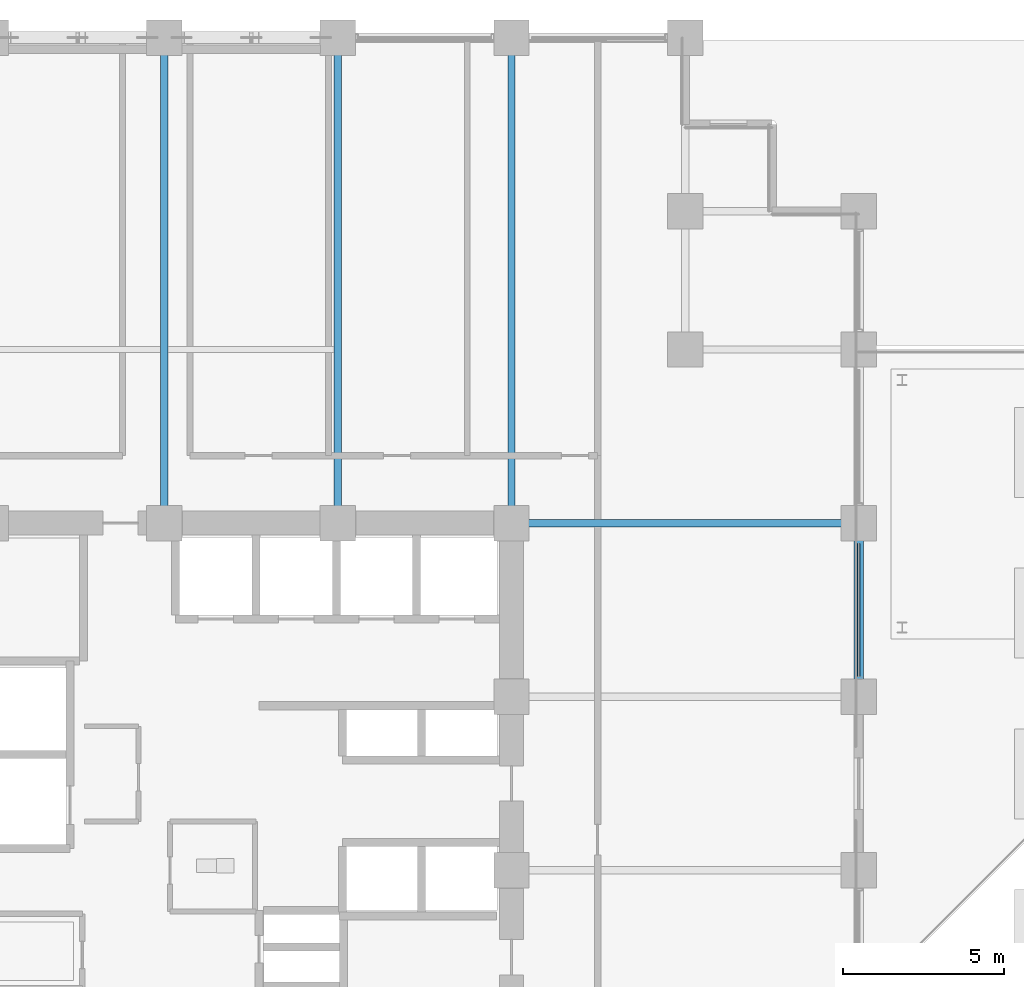
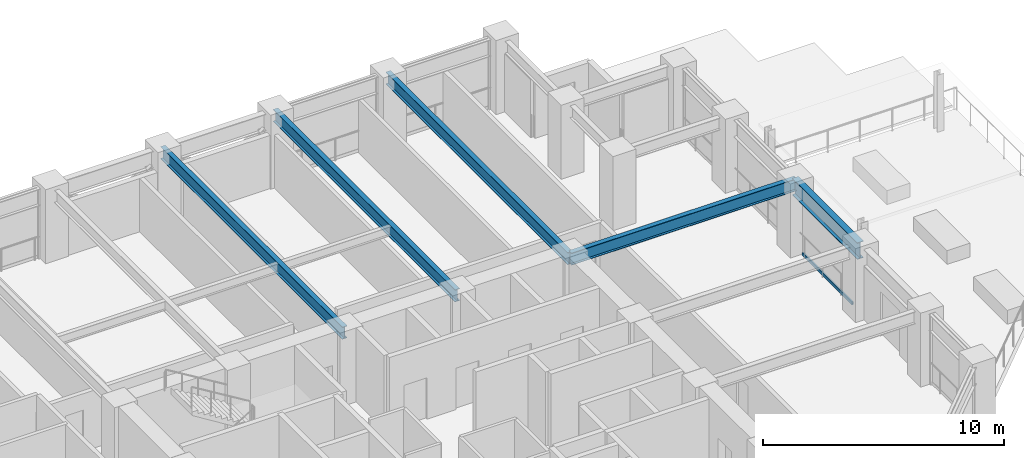
# One storey, part 15 of 30: 5 beams, 1 member, 1 element without a shape of its own.
"""IFC4 building model written with IfcOpenShell, lengths in metres."""

from ifc_helpers import new_model, si_unit, direction, frame, origin, origin_2d, place, context, subcontext, project, spatial, hollow_rectangle, i_section, extrude, material, layer, layer_set, material_profile, profile_set, type_object, element, aggregate, save


model = new_model("IFC4")

# Units and contexts
model_context = context("Model", 3, precision=1e-05, world=origin(), true_north=direction((0.0, 1.0)))
body_context = subcontext(model_context, "Body", "Model", "MODEL_VIEW")
ifc_project = project(units=[si_unit("LENGTHUNIT", "METRE"), si_unit("AREAUNIT", "SQUARE_METRE"), si_unit("VOLUMEUNIT", "CUBIC_METRE"), si_unit("PLANEANGLEUNIT", "RADIAN"), si_unit("MASSUNIT", "GRAM", prefix="KILO")], contexts=[model_context])

# Site, building, storey
site_placement = place(None, origin())
site = spatial("IfcSite", under=ifc_project, at=site_placement, CompositionType="ELEMENT")
building_placement = place(site_placement, origin())
building = spatial("IfcBuilding", under=site, at=building_placement, Name="Surkhivell Harbour Commons", CompositionType="ELEMENT")
storey_placement = place(building_placement, frame((0.0, 0.0, 83.25)))
storey = spatial("IfcBuildingStorey", under=building, at=storey_placement, Name="L21", CompositionType="ELEMENT", Elevation=83.25)

# Beams
ifc_material_1 = material(Name="Steel S355", Category="steel")
ifc_material_profile_1 = material_profile(ifc_material_1, i_section(OverallWidth=0.22998046875, OverallDepth=0.616943359375, WebThickness=0.01318359375, FlangeThickness=0.022216796875, at=origin_2d()), Name="UB610x229x140")
ifc_profile_set_1 = profile_set([ifc_material_profile_1], Name="Steel S355")
beam_type_1 = type_object("IfcBeamType", Name="BM-GRD-610B", PredefinedType="BEAM", material=ifc_profile_set_1)
for number, where, z_axis, x_axis, name in (
    (1, (0.0, 10.800048828125, 3.261474609375), (0.0, 1.0, 0.0), (-1.0, 0.0, 0.0), "L21 Floor Girder (0.0,10.8)"),
    (2, (5.39990234375, 10.800048828125, 3.261474609375), (0.0, 1.0, 0.0), (-1.0, 0.0, 0.0), "L21 Floor Girder (5.4,10.8)"),
    (3, (10.800048828125, 10.800048828125, 3.261474609375), (0.0, 1.0, 0.0), (-1.0, 0.0, 0.0), "L21 Floor Girder (10.8,10.8)"),
):
    element("IfcBeam", number, at=place(storey_placement, frame(where, z_axis=z_axis, x_axis=x_axis)), inside=storey, type_object=beam_type_1, Name=name, PredefinedType="BEAM", context=body_context, shape_type="SweptSolid", body=[
        extrude(i_section(OverallWidth=0.22998046875, OverallDepth=0.616943359375, WebThickness=0.01318359375, FlangeThickness=0.022216796875, at=origin_2d()), origin(), (0.0, 0.0, 1.0), 15.099853515625),
    ])
beam_1_placement = place(storey_placement, frame((10.800048828125, 10.800048828125, 3.261474609375), z_axis=(1.0, 0.0, 0.0), x_axis=(0.0, 1.0, 0.0)))
element("IfcBeam", 4, at=beam_1_placement, inside=storey, type_object=beam_type_1, Name="L21 Floor Girder (10.8,10.8)", PredefinedType="BEAM", context=body_context, shape_type="SweptSolid", body=[
    extrude(i_section(OverallWidth=0.22998046875, OverallDepth=0.616943359375, WebThickness=0.01318359375, FlangeThickness=0.022216796875, at=origin_2d()), origin(), (0.0, 0.0, 1.0), 10.800048828125),
])
ifc_material_2 = material(Name="Steel S460", Category="steel")
ifc_material_profile_2 = material_profile(ifc_material_2, i_section(OverallWidth=0.2939453125, OverallDepth=0.85107421875, WebThickness=0.01611328125, FlangeThickness=0.02685546875, at=origin_2d()), Name="UB838x292x226")
ifc_profile_set_2 = profile_set([ifc_material_profile_2], Name="Steel S460")
beam_type_2 = type_object("IfcBeamType", Name="BM-SPN-838", PredefinedType="SPANDREL", material=ifc_profile_set_2)
beam_2_placement = place(storey_placement, frame((21.60009765625, 5.39990234375, 3.14453125), z_axis=(0.0, 1.0, 0.0), x_axis=(-1.0, 0.0, 0.0)))
element("IfcBeam", 5, at=beam_2_placement, inside=storey, type_object=beam_type_2, Name="L21 Tube Spandrel (21.6,5.4)", PredefinedType="SPANDREL", context=body_context, shape_type="SweptSolid", body=[
    extrude(i_section(OverallWidth=0.2939453125, OverallDepth=0.85107421875, WebThickness=0.01611328125, FlangeThickness=0.02685546875, at=origin_2d()), origin(), (0.0, 0.0, 1.0), 5.400146484375),
])

# Curtain wall, member
ifc_material_3 = material(Name="Anodised pale-metal aluminium and insulated glazing", Category="aluminium")
ifc_layer = layer(ifc_material_3, 0.205078125)
ifc_layer_set = layer_set([ifc_layer], Name="Anodised pale-metal aluminium and insulated glazing")
curtain_wall_type = type_object("IfcCurtainWallType", Name="CW-SYS-Z2", PredefinedType="NOTDEFINED", material=ifc_layer_set)
curtain_wall_placement = place(storey_placement, origin())
curtain_wall = element("IfcCurtainWall", 6, at=curtain_wall_placement, inside=storey, type_object=curtain_wall_type, Name="L21 Curtain Wall CW-L21-E02B", PredefinedType="NOTDEFINED")
ifc_material_4 = material(Name="Anodised pale-metal aluminium alloy 6063-T6", Category="aluminium")
ifc_material_profile_3 = material_profile(ifc_material_4, hollow_rectangle(XDim=0.074951171875, YDim=0.14990234375, WallThickness=0.00341796875, at=origin_2d()), Name="ALU-TRAN-75x150")
ifc_profile_set_3 = profile_set([ifc_material_profile_3], Name="Anodised pale-metal aluminium alloy 6063-T6")
member_type = type_object("IfcMemberType", Name="CWT-150", PredefinedType="USERDEFINED", material=ifc_profile_set_3)
member_placement = place(storey_placement, frame((21.60009765625, 6.027099609375, 0.074951171875), z_axis=(0.0, 1.0, 0.0), x_axis=(-1.0, 0.0, 0.0)))
member = element("IfcMember", 7, at=member_placement, type_object=member_type, Name="CW-Z2 transom 1.1", ObjectType="TRANSOM", PredefinedType="USERDEFINED", context=body_context, shape_type="SweptSolid", body=[
    extrude(hollow_rectangle(XDim=0.074951171875, YDim=0.14990234375, WallThickness=0.00341796875, at=origin_2d()), origin(), (0.0, 0.0, 1.0), 4.14599609375),
])
aggregate(curtain_wall, [member])

save(model, "model.ifc")
